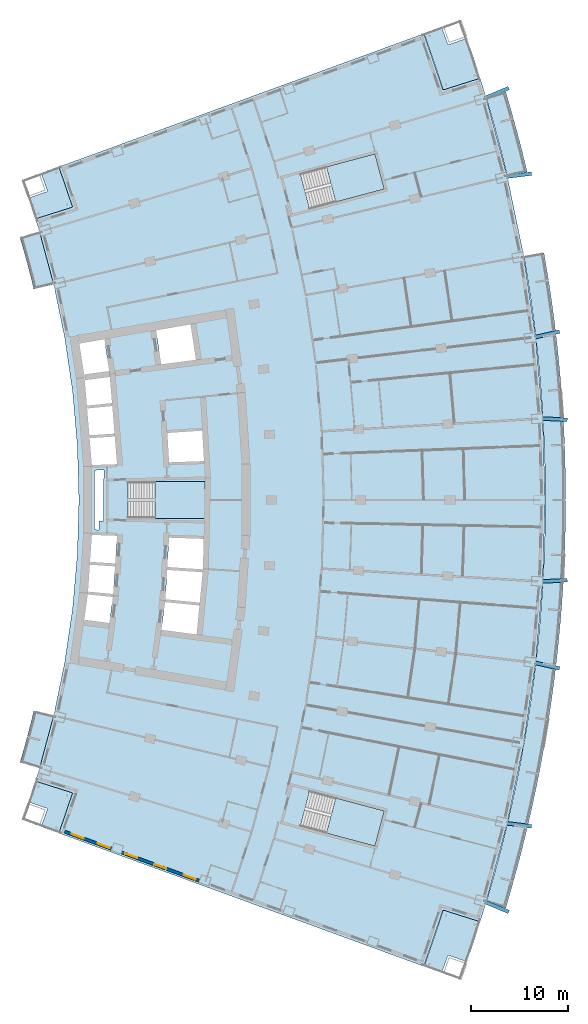
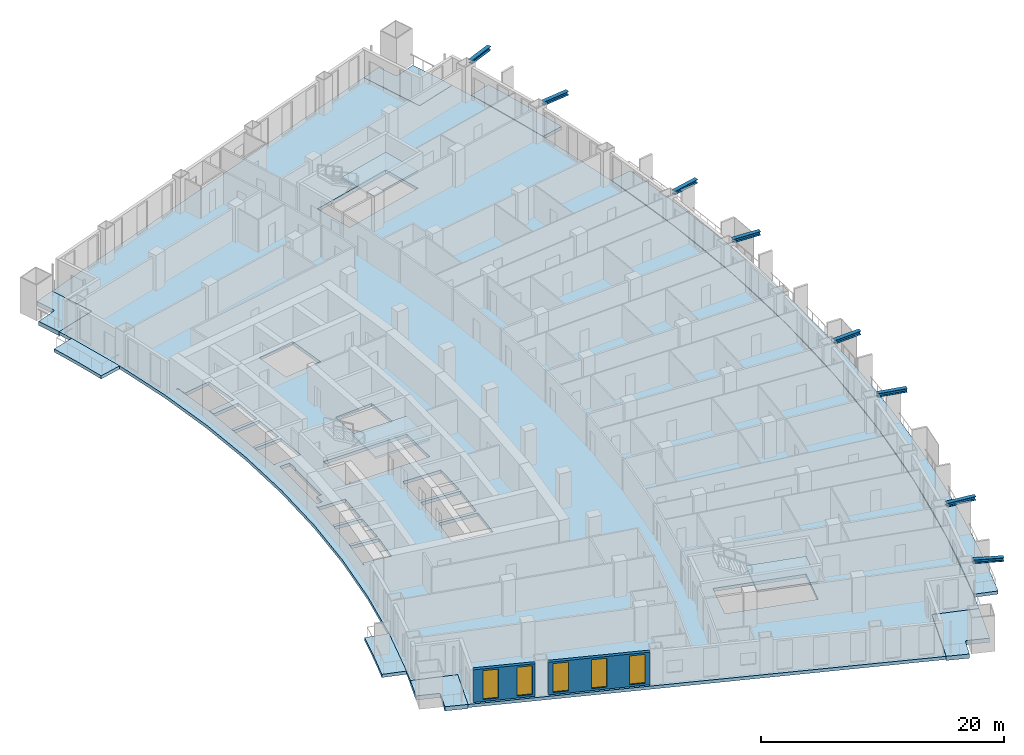
# One storey, part 12 of 25: 12 slabs, 8 members, 5 windows, 2 walls, 5 openings, 3 elements without a shape of their own.
"""IFC4 building model written with IfcOpenShell, lengths in metres."""

from ifc_helpers import new_model, si_unit, direction, frame, frame_2d, origin, origin_2d, place, context, subcontext, project, spatial, polyline, rectangle, i_section, outline, extrude, material, layer, layer_set, material_profile, profile_set, type_object, element, fill, aggregate, save


model = new_model("IFC4")

# Units and contexts
model_context = context("Model", 3, precision=1e-05, world=origin(), true_north=direction((0.0, 1.0)))
body_context = subcontext(model_context, "Body", "Model", "MODEL_VIEW")
ifc_project = project(units=[si_unit("LENGTHUNIT", "METRE"), si_unit("AREAUNIT", "SQUARE_METRE"), si_unit("VOLUMEUNIT", "CUBIC_METRE"), si_unit("PLANEANGLEUNIT", "RADIAN"), si_unit("MASSUNIT", "GRAM", prefix="KILO")], contexts=[model_context])

# Site, building, storey
site_placement = place(None, origin())
site = spatial("IfcSite", under=ifc_project, at=site_placement, CompositionType="ELEMENT")
building_placement = place(site_placement, origin())
building = spatial("IfcBuilding", under=site, at=building_placement, Name="Alderwake Tower", CompositionType="ELEMENT")
storey_placement = place(building_placement, frame((0.0, 0.0, 35.60009765625)))
storey = spatial("IfcBuildingStorey", under=building, at=storey_placement, Name="L07", CompositionType="ELEMENT", Elevation=35.60009765625)

# Members
ifc_material_1 = material(Name="Steel ASTM A992 Grade 50", Category="steel")
ifc_material_profile = material_profile(ifc_material_1, i_section(OverallWidth=0.3740234375, OverallDepth=0.372314453125, WebThickness=0.016357421875, FlangeThickness=0.026123046875, at=origin_2d()), Name="W14X132")
ifc_profile_set = profile_set([ifc_material_profile], Name="Steel ASTM A992 Grade 50")
member_type = type_object("IfcMemberType", Name="Brace node stub W14X132", PredefinedType="MEMBER", material=ifc_profile_set)
member_1_placement = place(storey_placement, frame((57.868408203125, 19.600341796875, 3.393798828125), z_axis=(0.920879193521, -0.389848061353, 0.0), x_axis=(0.389848061353, 0.920879193521, 0.0)))
element("IfcMember", 1, at=member_1_placement, inside=storey, type_object=member_type, Name="Brace node stub BS.FR02-C5.392", PredefinedType="MEMBER", context=body_context, shape_type="SweptSolid", body=[
    extrude(i_section(OverallWidth=0.3740234375, OverallDepth=0.372314453125, WebThickness=0.016357421875, FlangeThickness=0.026123046875, at=origin_2d()), origin(), (0.0, 0.0, 1.0), 2.564453125),
])
for number, where, z_axis, x_axis, name in (
    (2, (60.05078125, 27.72265625, 3.393798828125), (0.992254427768, -0.124222182294, 0.0), (0.124222182294, 0.992254427768, 0.0), "Brace node stub BS.FR03-C5.392"),
    (3, (62.970703125, 44.23681640625, 3.393798828125), (0.974699922412, -0.22351747415, 0.0), (0.22351747415, 0.974699922412, 0.0), "Brace node stub BS.FR05-C5.392"),
    (4, (63.70556640625, 52.614990234375, 3.393798828125), (0.998731361963, 0.05035540321, 0.0), (-0.05035540321, 0.998731361963, 0.0), "Brace node stub BS.FR06-C5.392"),
    (5, (63.70556640625, 69.385009765625, 3.393798828125), (0.998731361963, -0.05035540321, 0.0), (0.05035540321, 0.998731361963, 0.0), "Brace node stub BS.FR08-C5.392"),
    (6, (62.970703125, 77.76318359375, 3.393798828125), (0.974699922412, 0.22351747415, 0.0), (-0.22351747415, 0.974699922412, 0.0), "Brace node stub BS.FR09-C5.392"),
    (7, (60.05078125, 94.27734375, 3.393798828125), (0.992254427768, 0.124222182294, 0.0), (-0.124222182294, 0.992254427768, 0.0), "Brace node stub BS.FR11-C5.392"),
):
    element("IfcMember", number, at=place(storey_placement, frame(where, z_axis=z_axis, x_axis=x_axis)), inside=storey, type_object=member_type, Name=name, PredefinedType="MEMBER", context=body_context, shape_type="SweptSolid", body=[
        extrude(i_section(OverallWidth=0.3740234375, OverallDepth=0.372314453125, WebThickness=0.016357421875, FlangeThickness=0.026123046875, at=origin_2d()), origin(), (0.0, 0.0, 1.0), 2.564697265625),
    ])
member_2_placement = place(storey_placement, frame((57.868408203125, 102.399658203125, 3.393798828125), z_axis=(0.920879193521, 0.389848061353, 0.0), x_axis=(-0.389848061353, 0.920879193521, 0.0)))
element("IfcMember", 8, at=member_2_placement, inside=storey, type_object=member_type, Name="Brace node stub BS.FR12-C5.392", PredefinedType="MEMBER", context=body_context, shape_type="SweptSolid", body=[
    extrude(i_section(OverallWidth=0.3740234375, OverallDepth=0.372314453125, WebThickness=0.016357421875, FlangeThickness=0.026123046875, at=origin_2d()), origin(), (0.0, 0.0, 1.0), 2.564453125),
])

# Slabs
ifc_material_2 = material(Name="Concrete C50/60", Category="concrete")
ifc_layer_1 = layer(ifc_material_2, 0.320068359375)
ifc_layer_set_1 = layer_set([ifc_layer_1], Name="Balcony slab 320")
slab_type_1 = type_object("IfcSlabType", Name="Balcony slab 320", PredefinedType="FLOOR", material=ifc_layer_set_1)
slab_1_placement = place(storey_placement, frame((0.0, 0.0, -0.320068359375)))
element("IfcSlab", 9, at=slab_1_placement, inside=storey, type_object=slab_type_1, Name="Balcony BF02", PredefinedType="FLOOR", context=body_context, shape_type="SweptSolid", body=[
    extrude(outline(polyline([(59.9296875, 18.989013671875), (60.52734375, 21.0341796875), (61.09521484375, 23.087646484375), (61.633056640625, 25.1494140625), (62.140869140625, 27.218505859375), (62.618408203125, 29.294921875), (63.0654296875, 31.3779296875), (63.482421875, 33.467529296875), (63.868408203125, 35.562744140625), (64.22412109375, 37.66357421875), (64.54931640625, 39.769287109375), (64.843505859375, 41.87939453125), (65.106689453125, 43.99365234375), (65.33935546875, 46.111572265625), (65.541015625, 48.232666015625), (65.7119140625, 50.356201171875), (65.8515625, 52.482421875), (65.960205078125, 54.610107421875), (66.037841796875, 56.739501953125), (66.08447265625, 58.869384765625), (66.10009765625, 61.0), (66.08447265625, 63.130615234375), (66.037841796875, 65.260498046875), (65.960205078125, 67.389892578125), (65.8515625, 69.517578125), (65.7119140625, 71.643798828125), (65.541015625, 73.767333984375), (65.33935546875, 75.888427734375), (65.106689453125, 78.00634765625), (64.843505859375, 80.12060546875), (64.54931640625, 82.230712890625), (64.22412109375, 84.33642578125), (63.868408203125, 86.437255859375), (61.800537109375, 86.071533203125), (62.151123046875, 84.001220703125), (62.471435546875, 81.925537109375), (62.761474609375, 79.845703125), (63.02099609375, 77.761962890625), (63.250244140625, 75.674560546875), (63.44921875, 73.583984375), (63.617431640625, 71.49072265625), (63.755126953125, 69.395263671875), (63.8623046875, 67.298095703125), (63.938720703125, 65.199462890625), (63.984619140625, 63.099853515625), (64.0, 61.0), (63.984619140625, 58.900146484375), (63.938720703125, 56.800537109375), (63.8623046875, 54.701904296875), (63.755126953125, 52.604736328125), (63.617431640625, 50.50927734375), (63.44921875, 48.416015625), (63.250244140625, 46.325439453125), (63.02099609375, 44.238037109375), (62.761474609375, 42.154296875), (62.471435546875, 40.074462890625), (62.151123046875, 37.998779296875), (61.800537109375, 35.928466796875), (61.419921875, 33.86328125), (61.00927734375, 31.8037109375), (60.568359375, 29.75048828125), (60.097900390625, 27.7041015625), (59.597412109375, 25.66455078125), (59.067138671875, 23.632568359375), (58.507568359375, 21.608642578125), (57.918212890625, 19.593017578125), (59.9296875, 18.989013671875)])), origin(), (0.0, 0.0, 1.0), 0.320068359375),
])
slab_2_placement = place(storey_placement, frame((0.0, 0.0, -0.320068359375)))
element("IfcSlab", 10, at=slab_2_placement, inside=storey, type_object=slab_type_1, Name="Balcony BF11", PredefinedType="FLOOR", context=body_context, shape_type="SweptSolid", body=[
    extrude(outline(polyline([(60.097900390625, 94.2958984375), (62.140869140625, 94.781494140625), (61.633056640625, 96.8505859375), (61.09521484375, 98.912353515625), (60.52734375, 100.9658203125), (59.9296875, 103.010986328125), (57.918212890625, 102.406982421875), (58.507568359375, 100.391357421875), (59.067138671875, 98.367431640625), (59.597412109375, 96.33544921875), (60.097900390625, 94.2958984375)])), origin(), (0.0, 0.0, 1.0), 0.320068359375),
])
slab_3_placement = place(storey_placement, frame((0.0, 0.0, -0.320068359375)))
element("IfcSlab", 11, at=slab_3_placement, inside=storey, type_object=slab_type_1, Name="Balcony BR02", PredefinedType="FLOOR", context=body_context, shape_type="SweptSolid", body=[
    extrude(outline(polyline([(9.93408203125, 33.999267578125), (11.945556640625, 33.395263671875), (13.3984375, 38.802734375), (11.35546875, 39.288330078125), (11.029052734375, 37.95849609375), (10.683349609375, 36.63330078125), (10.318359375, 35.3134765625), (9.93408203125, 33.999267578125)])), origin(), (0.0, 0.0, 1.0), 0.320068359375),
])
slab_4_placement = place(storey_placement, frame((0.0, 0.0, -0.320068359375)))
element("IfcSlab", 12, at=slab_4_placement, inside=storey, type_object=slab_type_1, Name="Balcony BR11", PredefinedType="FLOOR", context=body_context, shape_type="SweptSolid", body=[
    extrude(outline(polyline([(11.35546875, 82.711669921875), (13.3984375, 83.197265625), (11.945556640625, 88.604736328125), (9.93408203125, 88.000732421875), (10.318359375, 86.6865234375), (10.683349609375, 85.36669921875), (11.029052734375, 84.04150390625), (11.35546875, 82.711669921875)])), origin(), (0.0, 0.0, 1.0), 0.320068359375),
])
ifc_material_3 = material(Name="Concrete C50/60", Category="concrete")
ifc_layer_2 = layer(ifc_material_3, 0.320068359375)
ifc_layer_set_2 = layer_set([ifc_layer_2], Name="Concrete C50/60 post-tensioned flat plate 320")
slab_type_2 = type_object("IfcSlabType", Name="Concrete C50/60 post-tensioned flat plate 320", PredefinedType="FLOOR", material=ifc_layer_set_2)
slab_5_placement = place(storey_placement, frame((0.0, 0.0, -0.320068359375)))
element("IfcSlab", 13, at=slab_5_placement, inside=storey, type_object=slab_type_2, Name="Floor slab L07", PredefinedType="FLOOR", context=body_context, shape_type="SweptSolid", body=[
    extrude(outline(polyline([(11.533203125, 32.057373046875), (11.945556640625, 33.395263671875), (13.3984375, 38.802734375), (14.53369140625, 44.28564453125), (15.347412109375, 49.825439453125), (15.836669921875, 55.4033203125), (16.0, 61.0), (15.836669921875, 66.5966796875), (15.347412109375, 72.174560546875), (14.53369140625, 77.71435546875), (13.3984375, 83.197265625), (11.945556640625, 88.604736328125), (11.533203125, 89.942626953125), (15.34716796875, 91.1484375), (13.937255859375, 95.289794921875), (51.51220703125, 109.005615234375), (53.48583984375, 103.2080078125), (57.2998046875, 104.413818359375), (57.918212890625, 102.406982421875), (60.097900390625, 94.2958984375), (61.800537109375, 86.071533203125), (63.02099609375, 77.761962890625), (63.755126953125, 69.395263671875), (64.0, 61.0), (63.755126953125, 52.604736328125), (63.02099609375, 44.238037109375), (61.800537109375, 35.928466796875), (60.097900390625, 27.7041015625), (57.918212890625, 19.593017578125), (57.2998046875, 17.586181640625), (53.48583984375, 18.7919921875), (51.51220703125, 12.994384765625), (13.937255859375, 26.710205078125), (15.34716796875, 30.8515625), (11.533203125, 32.057373046875)]), holes=[polyline([(16.943359375, 51.26953125), (16.9580078125, 51.4189453125), (16.972900390625, 51.568115234375), (19.525146484375, 51.31591796875), (19.71630859375, 54.164794921875), (17.153564453125, 54.33642578125), (17.16357421875, 54.486083984375), (17.173583984375, 54.6357421875), (19.736083984375, 54.464111328125), (19.92724609375, 57.312744140625), (17.364013671875, 57.403564453125), (17.369140625, 57.553466796875), (17.33935546875, 57.554443359375), (17.1337890625, 54.48828125), (16.927978515625, 51.421875), (16.92822265625, 51.421875), (16.50927734375, 48.377197265625), (16.5390625, 48.373291015625), (16.577880859375, 48.6708984375), (19.138671875, 48.3359375), (19.495361328125, 51.017333984375), (16.943359375, 51.26953125)]), polyline([(29.0, 62.875), (21.050048828125, 62.875), (21.050048828125, 59.125), (29.0, 59.125), (29.0, 62.875)]), polyline([(19.688720703125, 67.53271484375), (17.12548828125, 67.361083984375), (17.115478515625, 67.510498046875), (17.10546875, 67.660400390625), (19.6640625, 67.831787109375), (19.42822265625, 70.674560546875), (16.87646484375, 70.42236328125), (16.86181640625, 70.571533203125), (16.846923828125, 70.720947265625), (19.403564453125, 70.973388671875), (19.179931640625, 73.66943359375), (16.646484375, 73.338134765625), (16.607666015625, 73.635498046875), (16.56884765625, 73.93310546875), (19.111083984375, 74.265625), (18.6240234375, 77.531982421875), (18.919921875, 77.575927734375), (18.916748046875, 77.593994140625), (16.082275390625, 77.10546875), (15.9345703125, 77.9619140625), (15.634765625, 77.908935546875), (15.63525390625, 77.9052734375), (15.9140625, 77.9482421875), (16.57763671875, 73.631591796875), (16.578369140625, 73.626220703125), (16.831787109375, 70.568603515625), (17.085693359375, 67.508544921875), (17.33935546875, 64.4482421875), (17.33935546875, 64.445556640625), (17.369384765625, 64.446533203125), (17.364013671875, 64.596435546875), (19.9248046875, 64.687255859375), (19.688720703125, 67.53271484375)]), polyline([(47.436279296875, 28.996826171875), (39.754150390625, 31.043212890625), (38.7890625, 27.41943359375), (46.47119140625, 25.373291015625), (47.436279296875, 28.996826171875)]), polyline([(24.87451171875, 50.48583984375), (24.878662109375, 50.52783203125), (24.875, 50.5283203125), (24.48974609375, 47.635986328125), (28.117919921875, 47.16162109375), (28.40478515625, 50.136962890625), (24.87451171875, 50.48583984375)]), polyline([(25.080810546875, 53.804931640625), (24.89501953125, 50.731201171875), (24.898681640625, 50.730712890625), (24.904052734375, 50.784423828125), (28.43359375, 50.435546875), (28.735107421875, 53.56005859375), (25.080810546875, 53.804931640625)]), polyline([(28.83740234375, 56.997314453125), (25.281494140625, 57.123291015625), (25.09912109375, 54.1044921875), (28.759521484375, 53.859130859375), (28.7578125, 53.8359375), (28.76171875, 53.835693359375), (28.769287109375, 53.915283203125), (28.83740234375, 56.997314453125)]), polyline([(28.873779296875, 65.00390625), (28.689453125, 68.13623046875), (25.101318359375, 67.895751953125), (25.2822265625, 64.876708984375), (28.873779296875, 65.00390625)]), polyline([(27.490966796875, 79.072021484375), (23.932373046875, 78.45849609375), (23.93310546875, 78.454833984375), (23.9443359375, 78.45654296875), (24.4697265625, 74.972412109375), (24.36474609375, 74.95654296875), (24.365478515625, 74.952880859375), (28.0400390625, 75.433349609375), (27.490966796875, 79.072021484375)]), polyline([(46.47119140625, 96.626708984375), (38.7890625, 94.58056640625), (39.754150390625, 90.956787109375), (47.436279296875, 93.003173828125), (46.47119140625, 96.626708984375)]), polyline([(17.58935546875, 64.05419921875), (17.58935546875, 57.94580078125), (18.065673828125, 57.928955078125), (18.090576171875, 58.84326171875), (18.544189453125, 58.8310546875), (18.529296875, 58.8681640625), (18.5234375, 58.89208984375), (18.5185546875, 58.94091796875), (18.5185546875, 63.060302734375), (18.5234375, 63.109130859375), (18.53759765625, 63.156005859375), (18.560791015625, 63.19921875), (18.588623046875, 63.233642578125), (18.565185546875, 64.088623046875), (17.58935546875, 64.05419921875)])]), origin(), (0.0, 0.0, 1.0), 0.320068359375),
])

# Stair, slab
ifc_material_4 = material(Name="Concrete C40/50", Category="concrete")
stair_type = type_object("IfcStairType", Name="Core exit stair", PredefinedType="HALF_TURN_STAIR", material=ifc_material_4)
stair_1_placement = place(storey_placement, origin())
stair_1 = element("IfcStair", 14, at=stair_1_placement, inside=storey, type_object=stair_type, Name="L07 Exit Stair B", PredefinedType="HALF_TURN_STAIR")
ifc_material_5 = material(Name="Concrete C40/50", Category="concrete")
ifc_layer_3 = layer(ifc_material_5, 0.199951171875)
ifc_layer_set_3 = layer_set([ifc_layer_3], Name="Core stair landing 200")
slab_type_3 = type_object("IfcSlabType", Name="Core stair landing 200", PredefinedType="LANDING", material=ifc_layer_set_3)
slab_6_placement = place(storey_placement, frame((0.0, 0.0, 1.599853515625)))
slab_6 = element("IfcSlab", 15, at=slab_6_placement, type_object=slab_type_3, Name="ST-B landing 1", PredefinedType="LANDING", context=body_context, shape_type="SweptSolid", body=[
    extrude(outline(polyline([(23.830078125, 59.074951171875), (29.0, 59.074951171875), (29.0, 62.925048828125), (23.830078125, 62.925048828125), (23.830078125, 59.074951171875)])), origin(), (0.0, 0.0, 1.0), 0.199951171875),
])
aggregate(stair_1, [slab_6])

stair_2_placement = place(storey_placement, origin())
stair_2 = element("IfcStair", 16, at=stair_2_placement, inside=storey, type_object=stair_type, Name="L07 Exit Stair A", PredefinedType="HALF_TURN_STAIR")
slab_7_placement = place(storey_placement, frame((0.0, 0.0, 1.599853515625)))
slab_7 = element("IfcSlab", 17, at=slab_7_placement, type_object=slab_type_3, Name="ST-A landing 1", PredefinedType="LANDING", context=body_context, shape_type="SweptSolid", body=[
    extrude(outline(polyline([(42.440673828125, 91.67236328125), (47.436279296875, 93.003173828125), (46.47119140625, 96.626708984375), (41.475341796875, 95.296142578125), (42.440673828125, 91.67236328125)])), origin(), (0.0, 0.0, 1.0), 0.199951171875),
])
aggregate(stair_2, [slab_7])

stair_3_placement = place(storey_placement, origin())
stair_3 = element("IfcStair", 18, at=stair_3_placement, inside=storey, type_object=stair_type, Name="L07 Exit Stair C", PredefinedType="HALF_TURN_STAIR")
slab_8_placement = place(storey_placement, frame((0.0, 0.0, 1.599853515625)))
slab_8 = element("IfcSlab", 19, at=slab_8_placement, type_object=slab_type_3, Name="ST-C landing 1", PredefinedType="LANDING", context=body_context, shape_type="SweptSolid", body=[
    extrude(outline(polyline([(41.475341796875, 26.703857421875), (46.47119140625, 25.373291015625), (47.436279296875, 28.996826171875), (42.4404296875, 30.32763671875), (41.475341796875, 26.703857421875)])), origin(), (0.0, 0.0, 1.0), 0.199951171875),
])
aggregate(stair_3, [slab_8])

# Slabs
ifc_material_6 = material(Name="Concrete C50/60", Category="concrete")
ifc_layer_4 = layer(ifc_material_6, 0.419921875)
ifc_layer_set_4 = layer_set([ifc_layer_4], Name="Terrace slab 420")
slab_type_4 = type_object("IfcSlabType", Name="Terrace slab 420", PredefinedType="FLOOR", material=ifc_layer_set_4)
slab_9_placement = place(storey_placement, frame((0.0, 0.0, -0.420166015625)))
element("IfcSlab", 20, at=slab_9_placement, inside=storey, type_object=slab_type_4, Name="Corner terrace FS", PredefinedType="FLOOR", context=body_context, shape_type="SweptSolid", body=[
    extrude(outline(polyline([(55.975341796875, 13.6005859375), (55.92626953125, 13.462890625), (54.141845703125, 14.1015625), (54.127685546875, 14.10595703125), (54.11328125, 14.108642578125), (54.0986328125, 14.110107421875), (54.083984375, 14.110107421875), (54.0693359375, 14.108642578125), (54.054931640625, 14.10595703125), (54.040771484375, 14.1015625), (54.027099609375, 14.095947265625), (54.01416015625, 14.089111328125), (54.001953125, 14.080810546875), (53.990478515625, 14.071533203125), (53.980224609375, 14.06103515625), (53.970703125, 14.0498046875), (53.962646484375, 14.03759765625), (53.955810546875, 14.0244140625), (53.9501953125, 14.010986328125), (53.346435546875, 12.32470703125), (51.51220703125, 12.994384765625), (52.1982421875, 14.917236328125), (52.856201171875, 16.85009765625), (53.48583984375, 18.7919921875), (57.2998046875, 17.586181640625), (56.652099609375, 15.58837890625), (55.975341796875, 13.6005859375)])), origin(), (0.0, 0.0, 1.0), 0.420166015625),
])
slab_10_placement = place(storey_placement, frame((0.0, 0.0, -0.420166015625)))
element("IfcSlab", 21, at=slab_10_placement, inside=storey, type_object=slab_type_4, Name="Corner terrace RS", PredefinedType="FLOOR", context=body_context, shape_type="SweptSolid", body=[
    extrude(outline(polyline([(13.937255859375, 26.710205078125), (12.10888671875, 27.377685546875), (12.114013671875, 27.39013671875), (12.71533203125, 29.086669921875), (12.7197265625, 29.100830078125), (12.722412109375, 29.115234375), (12.723876953125, 29.1298828125), (12.723876953125, 29.14453125), (12.722412109375, 29.1591796875), (12.719482421875, 29.173583984375), (12.715087890625, 29.187744140625), (12.70947265625, 29.201416015625), (12.702392578125, 29.21435546875), (12.6943359375, 29.2265625), (12.684814453125, 29.23779296875), (12.674560546875, 29.248291015625), (12.6630859375, 29.257568359375), (12.65087890625, 29.265625), (12.6376953125, 29.272705078125), (12.624267578125, 29.2783203125), (10.82568359375, 29.915771484375), (11.101318359375, 30.7255859375), (11.533203125, 32.057373046875), (15.34716796875, 30.8515625), (13.937255859375, 26.710205078125)])), origin(), (0.0, 0.0, 1.0), 0.420166015625),
])
slab_11_placement = place(storey_placement, frame((0.0, 0.0, -0.420166015625)))
element("IfcSlab", 22, at=slab_11_placement, inside=storey, type_object=slab_type_4, Name="Corner terrace FN", PredefinedType="FLOOR", context=body_context, shape_type="SweptSolid", body=[
    extrude(outline(polyline([(55.975341796875, 108.3994140625), (56.652099609375, 106.41162109375), (57.2998046875, 104.413818359375), (53.48583984375, 103.2080078125), (52.856201171875, 105.14990234375), (52.1982421875, 107.082763671875), (51.51220703125, 109.005615234375), (53.346435546875, 109.67529296875), (53.9501953125, 107.989013671875), (53.955810546875, 107.9755859375), (53.962646484375, 107.96240234375), (53.970703125, 107.9501953125), (53.980224609375, 107.93896484375), (53.990478515625, 107.928466796875), (54.001953125, 107.919189453125), (54.01416015625, 107.910888671875), (54.027099609375, 107.904052734375), (54.040771484375, 107.8984375), (54.054931640625, 107.89404296875), (54.0693359375, 107.891357421875), (54.083984375, 107.889892578125), (54.0986328125, 107.889892578125), (54.11328125, 107.891357421875), (54.127685546875, 107.89404296875), (54.141845703125, 107.8984375), (55.92626953125, 108.537109375), (55.975341796875, 108.3994140625)])), origin(), (0.0, 0.0, 1.0), 0.420166015625),
])
slab_12_placement = place(storey_placement, frame((0.0, 0.0, -0.420166015625)))
element("IfcSlab", 23, at=slab_12_placement, inside=storey, type_object=slab_type_4, Name="Corner terrace RN", PredefinedType="FLOOR", context=body_context, shape_type="SweptSolid", body=[
    extrude(outline(polyline([(10.82568359375, 92.084228515625), (12.624267578125, 92.7216796875), (12.6376953125, 92.727294921875), (12.65087890625, 92.734375), (12.6630859375, 92.742431640625), (12.674560546875, 92.751708984375), (12.684814453125, 92.76220703125), (12.6943359375, 92.7734375), (12.702392578125, 92.78564453125), (12.70947265625, 92.798583984375), (12.715087890625, 92.812255859375), (12.719482421875, 92.826416015625), (12.722412109375, 92.8408203125), (12.723876953125, 92.85546875), (12.723876953125, 92.8701171875), (12.722412109375, 92.884765625), (12.7197265625, 92.899169921875), (12.71533203125, 92.913330078125), (12.114013671875, 94.60986328125), (12.10888671875, 94.622314453125), (13.937255859375, 95.289794921875), (15.34716796875, 91.1484375), (11.533203125, 89.942626953125), (11.101318359375, 91.2744140625), (10.82568359375, 92.084228515625)])), origin(), (0.0, 0.0, 1.0), 0.420166015625),
])

# Wall, openings, windows
ifc_material_7 = material(Name="Bronze metal cladding on lightweight framing")
ifc_layer_5 = layer(ifc_material_7, 0.300048828125)
ifc_layer_set_5 = layer_set([ifc_layer_5], Name="External wall EW2 bronze metal cladding")
wall_type = type_object("IfcWallType", Name="External wall EW2 bronze metal cladding", PredefinedType="SOLIDWALL", material=ifc_layer_set_5)
wall_1_placement = place(storey_placement, frame((14.523681640625, 26.86865234375, 0.0), z_axis=(0.0, 0.0, 1.0), x_axis=(0.939371865822, -0.342900127883, 0.0)))
wall_1 = element("IfcWall", 24, at=wall_1_placement, inside=storey, type_object=wall_type, Name="External wall 4", PredefinedType="SOLIDWALL", context=body_context, shape_type="SweptSolid", body=[
    extrude(rectangle(XDim=5.149169921875, YDim=0.300048828125, at=frame_2d((2.57470703125, 0.0))), origin(), (0.0, 0.0, 1.0), 3.27978515625),
])
opening_1_placement = place(wall_1_placement, frame((0.775390625, 0.0, 0.199951171875)))
opening_1 = element("IfcOpeningElement", 25, at=opening_1_placement, cuts=wall_1, Name="Opening W1", PredefinedType="OPENING", context=body_context, shape_type="SweptSolid", body=[
    extrude(rectangle(XDim=1.300048828125, YDim=2.89990234375, at=frame_2d((0.64990234375, 1.449951171875))), frame((0.0, 0.159912109375, 0.0), z_axis=(0.0, -1.0, 0.0), x_axis=(1.0, 0.0, 0.0)), (0.0, 0.0, 1.0), 0.320068359375),
])
opening_2_placement = place(wall_1_placement, frame((3.626220703125, 0.0, 0.199951171875)))
opening_2 = element("IfcOpeningElement", 26, at=opening_2_placement, cuts=wall_1, Name="Opening W1", PredefinedType="OPENING", context=body_context, shape_type="SweptSolid", body=[
    extrude(rectangle(XDim=1.300048828125, YDim=2.89990234375, at=frame_2d((0.64990234375, 1.449951171875))), frame((0.0, 0.159912109375, 0.0), z_axis=(0.0, -1.0, 0.0), x_axis=(1.0, 0.0, 0.0)), (0.0, 0.0, 1.0), 0.320068359375),
])
ifc_material_8 = material(Name="Bronze tinted glass in aluminium frame", Category="aluminium")
window_type = type_object("IfcWindowType", Name="Window W1 tall fixed and vent", PartitioningType="DOUBLE_PANEL_VERTICAL", PredefinedType="WINDOW", material=ifc_material_8)
window_1_placement = place(opening_1_placement, origin())
window_1 = element("IfcWindow", 27, at=window_1_placement, inside=storey, type_object=window_type, Name="Window W1 tall fixed and vent", OverallHeight=2.89990234375, OverallWidth=1.300048828125, PartitioningType="DOUBLE_PANEL_VERTICAL", PredefinedType="WINDOW", context=body_context, shape_type="SweptSolid", body=[
    extrude(rectangle(XDim=1.300048828125, YDim=2.89990234375, at=frame_2d((0.64990234375, 1.449951171875))), frame((0.0, 0.030029296875, 0.0), z_axis=(0.0, -1.0, 0.0), x_axis=(1.0, 0.0, 0.0)), (0.0, 0.0, 1.0), 0.06005859375),
])
fill(opening_1, window_1)
window_2_placement = place(opening_2_placement, origin())
window_2 = element("IfcWindow", 28, at=window_2_placement, inside=storey, type_object=window_type, Name="Window W1 tall fixed and vent", OverallHeight=2.89990234375, OverallWidth=1.300048828125, PartitioningType="DOUBLE_PANEL_VERTICAL", PredefinedType="WINDOW", context=body_context, shape_type="SweptSolid", body=[
    extrude(rectangle(XDim=1.300048828125, YDim=2.89990234375, at=frame_2d((0.64990234375, 1.449951171875))), frame((0.0, 0.030029296875, 0.0), z_axis=(0.0, -1.0, 0.0), x_axis=(1.0, 0.0, 0.0)), (0.0, 0.0, 1.0), 0.06005859375),
])
fill(opening_2, window_2)

wall_2_placement = place(storey_placement, frame((20.398681640625, 24.72412109375, 0.0), z_axis=(0.0, 0.0, 1.0), x_axis=(0.939369809957, -0.342905759856, 0.0)))
wall_2 = element("IfcWall", 29, at=wall_2_placement, inside=storey, type_object=wall_type, Name="External wall 5", PredefinedType="SOLIDWALL", context=body_context, shape_type="SweptSolid", body=[
    extrude(rectangle(XDim=8.495361328125, YDim=0.300048828125, at=frame_2d((4.24755859375, 0.0))), origin(), (0.0, 0.0, 1.0), 3.27978515625),
])
opening_3_placement = place(wall_2_placement, frame((0.3974609375, 0.0, 0.199951171875)))
opening_3 = element("IfcOpeningElement", 30, at=opening_3_placement, cuts=wall_2, Name="Opening W1", PredefinedType="OPENING", context=body_context, shape_type="SweptSolid", body=[
    extrude(rectangle(XDim=1.300048828125, YDim=2.89990234375, at=frame_2d((0.64990234375, 1.449951171875))), frame((0.0, 0.159912109375, 0.0), z_axis=(0.0, -1.0, 0.0), x_axis=(1.0, 0.0, 0.0)), (0.0, 0.0, 1.0), 0.320068359375),
])
opening_4_placement = place(wall_2_placement, frame((3.597412109375, 0.0, 0.199951171875)))
opening_4 = element("IfcOpeningElement", 31, at=opening_4_placement, cuts=wall_2, Name="Opening W1", PredefinedType="OPENING", context=body_context, shape_type="SweptSolid", body=[
    extrude(rectangle(XDim=1.300048828125, YDim=2.89990234375, at=frame_2d((0.64990234375, 1.449951171875))), frame((0.0, 0.159912109375, 0.0), z_axis=(0.0, -1.0, 0.0), x_axis=(1.0, 0.0, 0.0)), (0.0, 0.0, 1.0), 0.320068359375),
])
opening_5_placement = place(wall_2_placement, frame((6.797607421875, 0.0, 0.199951171875)))
opening_5 = element("IfcOpeningElement", 32, at=opening_5_placement, cuts=wall_2, Name="Opening W1", PredefinedType="OPENING", context=body_context, shape_type="SweptSolid", body=[
    extrude(rectangle(XDim=1.300048828125, YDim=2.89990234375, at=frame_2d((0.64990234375, 1.449951171875))), frame((0.0, 0.159912109375, 0.0), z_axis=(0.0, -1.0, 0.0), x_axis=(1.0, 0.0, 0.0)), (0.0, 0.0, 1.0), 0.320068359375),
])
window_3_placement = place(opening_3_placement, origin())
window_3 = element("IfcWindow", 33, at=window_3_placement, inside=storey, type_object=window_type, Name="Window W1 tall fixed and vent", OverallHeight=2.89990234375, OverallWidth=1.300048828125, PartitioningType="DOUBLE_PANEL_VERTICAL", PredefinedType="WINDOW", context=body_context, shape_type="SweptSolid", body=[
    extrude(rectangle(XDim=1.300048828125, YDim=2.89990234375, at=frame_2d((0.64990234375, 1.449951171875))), frame((0.0, 0.030029296875, 0.0), z_axis=(0.0, -1.0, 0.0), x_axis=(1.0, 0.0, 0.0)), (0.0, 0.0, 1.0), 0.06005859375),
])
fill(opening_3, window_3)
window_4_placement = place(opening_4_placement, origin())
window_4 = element("IfcWindow", 34, at=window_4_placement, inside=storey, type_object=window_type, Name="Window W1 tall fixed and vent", OverallHeight=2.89990234375, OverallWidth=1.300048828125, PartitioningType="DOUBLE_PANEL_VERTICAL", PredefinedType="WINDOW", context=body_context, shape_type="SweptSolid", body=[
    extrude(rectangle(XDim=1.300048828125, YDim=2.89990234375, at=frame_2d((0.64990234375, 1.449951171875))), frame((0.0, 0.030029296875, 0.0), z_axis=(0.0, -1.0, 0.0), x_axis=(1.0, 0.0, 0.0)), (0.0, 0.0, 1.0), 0.06005859375),
])
fill(opening_4, window_4)
window_5_placement = place(opening_5_placement, origin())
window_5 = element("IfcWindow", 35, at=window_5_placement, inside=storey, type_object=window_type, Name="Window W1 tall fixed and vent", OverallHeight=2.89990234375, OverallWidth=1.300048828125, PartitioningType="DOUBLE_PANEL_VERTICAL", PredefinedType="WINDOW", context=body_context, shape_type="SweptSolid", body=[
    extrude(rectangle(XDim=1.300048828125, YDim=2.89990234375, at=frame_2d((0.64990234375, 1.449951171875))), frame((0.0, 0.030029296875, 0.0), z_axis=(0.0, -1.0, 0.0), x_axis=(1.0, 0.0, 0.0)), (0.0, 0.0, 1.0), 0.06005859375),
])
fill(opening_5, window_5)

save(model, "model.ifc")
